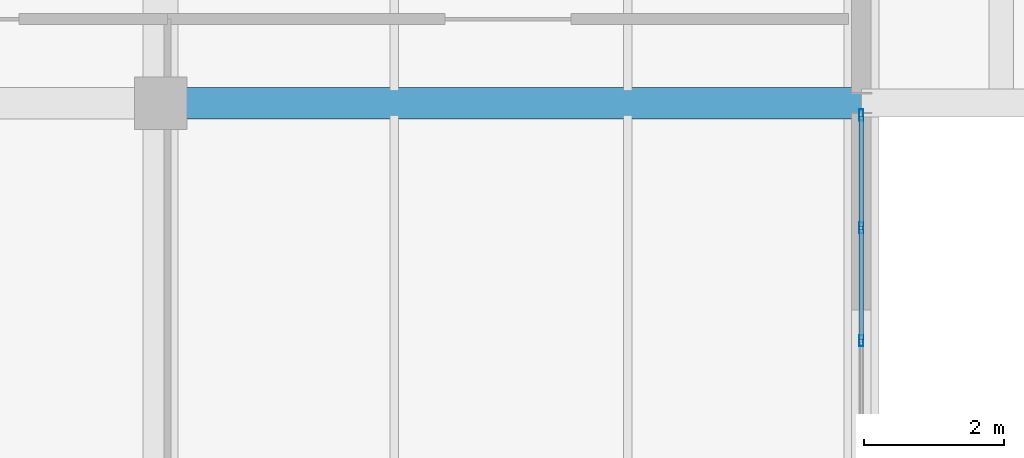
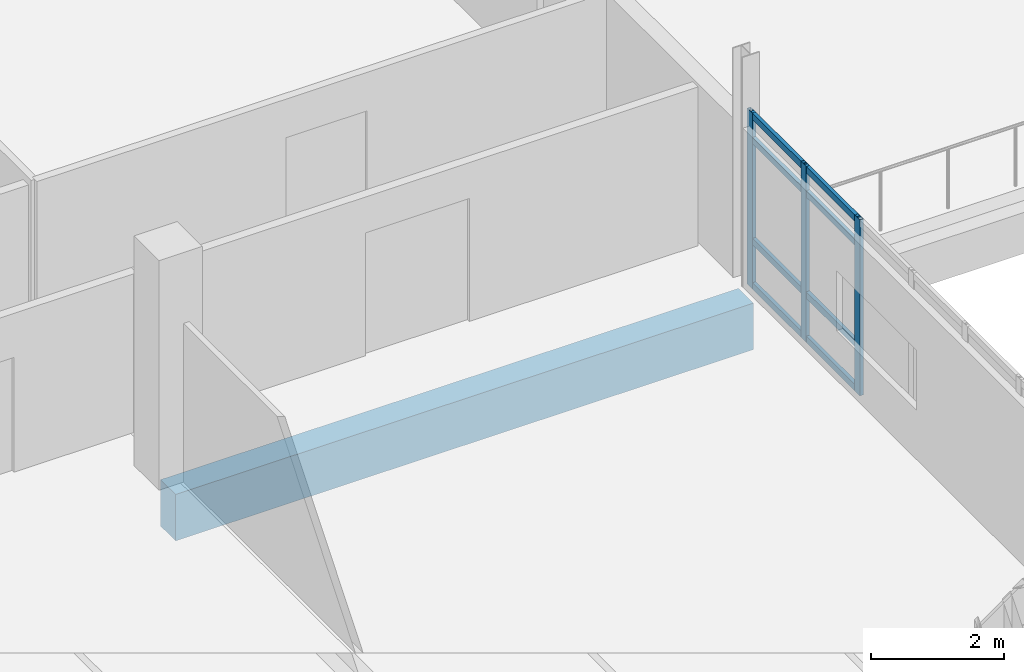
# One storey, part 49 of 111: 11 members, 1 beam, 1 element without a shape of its own.
"""IFC4 building model written with IfcOpenShell, lengths in metres."""

from ifc_helpers import new_model, si_unit, direction, frame, origin, origin_2d, place, context, subcontext, project, spatial, rectangle, hollow_rectangle, extrude, material, layer, layer_set, material_profile, profile_set, type_object, element, aggregate, save


model = new_model("IFC4")

# Units and contexts
model_context = context("Model", 3, precision=1e-05, world=origin(), true_north=direction((0.0, 1.0)))
body_context = subcontext(model_context, "Body", "Model", "MODEL_VIEW")
ifc_project = project(units=[si_unit("LENGTHUNIT", "METRE"), si_unit("AREAUNIT", "SQUARE_METRE"), si_unit("VOLUMEUNIT", "CUBIC_METRE"), si_unit("PLANEANGLEUNIT", "RADIAN"), si_unit("MASSUNIT", "GRAM", prefix="KILO")], contexts=[model_context])

# Site, building, storey
site_placement = place(None, origin())
site = spatial("IfcSite", under=ifc_project, at=site_placement, CompositionType="ELEMENT")
building_placement = place(site_placement, origin())
building = spatial("IfcBuilding", under=site, at=building_placement, Name="Mersad Railyard Sports Hall", CompositionType="ELEMENT")
storey_placement = place(building_placement, frame((0.0, 0.0, 9.0)))
storey = spatial("IfcBuildingStorey", under=building, at=storey_placement, Name="L02", CompositionType="ELEMENT", Elevation=9.0)

# Curtain wall, members
ifc_material_1 = material(Name="Aluminium 6063-T6", Category="aluminium")
ifc_layer = layer(ifc_material_1, 0.159912109375)
ifc_layer_set = layer_set([ifc_layer], Name="Aluminium 6063-T6")
curtain_wall_type = type_object("IfcCurtainWallType", Name="ARC-CW-CW23", PredefinedType="USERDEFINED", material=ifc_layer_set)
curtain_wall_placement = place(storey_placement, origin())
curtain_wall = element("IfcCurtainWall", 1, at=curtain_wall_placement, inside=storey, type_object=curtain_wall_type, Name="Curtain wall CW23-0081", ObjectType="CURTAIN WALL", PredefinedType="USERDEFINED")
ifc_material_profile_1 = material_profile(ifc_material_1, hollow_rectangle(XDim=0.06005859375, YDim=0.159912109375, WallThickness=0.00390625, at=origin_2d()), Name="AL MULLION 60x160x4")
ifc_profile_set_1 = profile_set([ifc_material_profile_1], Name="Aluminium 6063-T6")
member_type_1 = type_object("IfcMemberType", Name="ARC-CW-MUL01", PredefinedType="MULLION", material=ifc_profile_set_1)
member_1_placement = place(storey_placement, frame((131.0, 91.610107421875, -0.02001953125), z_axis=(0.0, 0.0, 1.0), x_axis=(1.0, 0.0, 0.0)))
member_1 = element("IfcMember", 2, at=member_1_placement, type_object=member_type_1, Name="CW23 Mullion 5", PredefinedType="MULLION", context=body_context, shape_type="SweptSolid", body=[
    extrude(hollow_rectangle(XDim=0.06005859375, YDim=0.159912109375, WallThickness=0.00390625, at=origin_2d()), origin(), (0.0, 0.0, 1.0), 3.219970703125),
])
member_2_placement = place(storey_placement, frame((131.0, 93.219970703125, -0.02001953125), z_axis=(0.0, 0.0, 1.0), x_axis=(1.0, 0.0, 0.0)))
member_2 = element("IfcMember", 3, at=member_2_placement, type_object=member_type_1, Name="CW23 Mullion 6", PredefinedType="MULLION", context=body_context, shape_type="SweptSolid", body=[
    extrude(hollow_rectangle(XDim=0.06005859375, YDim=0.159912109375, WallThickness=0.00390625, at=origin_2d()), origin(), (0.0, 0.0, 1.0), 3.219970703125),
])
member_3_placement = place(storey_placement, frame((131.0, 94.830078125, -0.02001953125), z_axis=(0.0, 0.0, 1.0), x_axis=(1.0, 0.0, 0.0)))
member_3 = element("IfcMember", 4, at=member_3_placement, type_object=member_type_1, Name="CW23 Mullion 7", PredefinedType="MULLION", context=body_context, shape_type="SweptSolid", body=[
    extrude(hollow_rectangle(XDim=0.06005859375, YDim=0.159912109375, WallThickness=0.00390625, at=origin_2d()), origin(), (0.0, 0.0, 1.0), 3.219970703125),
])
ifc_material_profile_2 = material_profile(ifc_material_1, hollow_rectangle(XDim=0.06005859375, YDim=0.1201171875, WallThickness=0.00390625, at=origin_2d()), Name="AL TRANSOM 60x120x4")
ifc_profile_set_2 = profile_set([ifc_material_profile_2], Name="Aluminium 6063-T6")
member_type_2 = type_object("IfcMemberType", Name="ARC-CW-TRN01", PredefinedType="USERDEFINED", material=ifc_profile_set_2)
member_4_placement = place(storey_placement, frame((131.0, 91.6298828125, 0.0400390625), z_axis=(0.0, 1.0, 0.0), x_axis=(-1.0, 0.0, 0.0)))
member_4 = element("IfcMember", 5, at=member_4_placement, type_object=member_type_2, Name="CW23 Transom 1-5", ObjectType="TRANSOM", PredefinedType="USERDEFINED", context=body_context, shape_type="SweptSolid", body=[
    extrude(hollow_rectangle(XDim=0.06005859375, YDim=0.1201171875, WallThickness=0.00390625, at=origin_2d()), origin(), (0.0, 0.0, 1.0), 1.570068359375),
])
member_5_placement = place(storey_placement, frame((131.0, 93.239990234375, 0.0400390625), z_axis=(0.0, 1.0, 0.0), x_axis=(-1.0, 0.0, 0.0)))
member_5 = element("IfcMember", 6, at=member_5_placement, type_object=member_type_2, Name="CW23 Transom 1-6", ObjectType="TRANSOM", PredefinedType="USERDEFINED", context=body_context, shape_type="SweptSolid", body=[
    extrude(hollow_rectangle(XDim=0.06005859375, YDim=0.1201171875, WallThickness=0.00390625, at=origin_2d()), origin(), (0.0, 0.0, 1.0), 1.570068359375),
])
member_6_placement = place(storey_placement, frame((131.0, 91.6298828125, 0.85009765625), z_axis=(0.0, 1.0, 0.0), x_axis=(-1.0, 0.0, 0.0)))
member_6 = element("IfcMember", 7, at=member_6_placement, type_object=member_type_2, Name="CW23 Transom 2-5", ObjectType="TRANSOM", PredefinedType="USERDEFINED", context=body_context, shape_type="SweptSolid", body=[
    extrude(hollow_rectangle(XDim=0.06005859375, YDim=0.1201171875, WallThickness=0.00390625, at=origin_2d()), origin(), (0.0, 0.0, 1.0), 1.570068359375),
])
member_7_placement = place(storey_placement, frame((131.0, 93.239990234375, 0.85009765625), z_axis=(0.0, 1.0, 0.0), x_axis=(-1.0, 0.0, 0.0)))
member_7 = element("IfcMember", 8, at=member_7_placement, type_object=member_type_2, Name="CW23 Transom 2-6", ObjectType="TRANSOM", PredefinedType="USERDEFINED", context=body_context, shape_type="SweptSolid", body=[
    extrude(hollow_rectangle(XDim=0.06005859375, YDim=0.1201171875, WallThickness=0.00390625, at=origin_2d()), origin(), (0.0, 0.0, 1.0), 1.570068359375),
])
member_8_placement = place(storey_placement, frame((131.0, 91.6298828125, 2.699951171875), z_axis=(0.0, 1.0, 0.0), x_axis=(-1.0, 0.0, 0.0)))
member_8 = element("IfcMember", 9, at=member_8_placement, type_object=member_type_2, Name="CW23 Transom 3-5", ObjectType="TRANSOM", PredefinedType="USERDEFINED", context=body_context, shape_type="SweptSolid", body=[
    extrude(hollow_rectangle(XDim=0.06005859375, YDim=0.1201171875, WallThickness=0.00390625, at=origin_2d()), origin(), (0.0, 0.0, 1.0), 1.570068359375),
])
member_9_placement = place(storey_placement, frame((131.0, 93.239990234375, 2.699951171875), z_axis=(0.0, 1.0, 0.0), x_axis=(-1.0, 0.0, 0.0)))
member_9 = element("IfcMember", 10, at=member_9_placement, type_object=member_type_2, Name="CW23 Transom 3-6", ObjectType="TRANSOM", PredefinedType="USERDEFINED", context=body_context, shape_type="SweptSolid", body=[
    extrude(hollow_rectangle(XDim=0.06005859375, YDim=0.1201171875, WallThickness=0.00390625, at=origin_2d()), origin(), (0.0, 0.0, 1.0), 1.570068359375),
])
member_10_placement = place(storey_placement, frame((131.0, 91.6298828125, 3.139892578125), z_axis=(0.0, 1.0, 0.0), x_axis=(-1.0, 0.0, 0.0)))
member_10 = element("IfcMember", 11, at=member_10_placement, type_object=member_type_2, Name="CW23 Transom 4-5", ObjectType="TRANSOM", PredefinedType="USERDEFINED", context=body_context, shape_type="SweptSolid", body=[
    extrude(hollow_rectangle(XDim=0.06005859375, YDim=0.1201171875, WallThickness=0.00390625, at=origin_2d()), origin(), (0.0, 0.0, 1.0), 1.570068359375),
])
member_11_placement = place(storey_placement, frame((131.0, 93.239990234375, 3.139892578125), z_axis=(0.0, 1.0, 0.0), x_axis=(-1.0, 0.0, 0.0)))
member_11 = element("IfcMember", 12, at=member_11_placement, type_object=member_type_2, Name="CW23 Transom 4-6", ObjectType="TRANSOM", PredefinedType="USERDEFINED", context=body_context, shape_type="SweptSolid", body=[
    extrude(hollow_rectangle(XDim=0.06005859375, YDim=0.1201171875, WallThickness=0.00390625, at=origin_2d()), origin(), (0.0, 0.0, 1.0), 1.570068359375),
])
aggregate(curtain_wall, [member_1, member_2, member_3, member_4, member_5, member_6, member_7, member_8, member_9, member_10, member_11])

# Beam
ifc_material_2 = material(Name="Concrete C40/50", Category="concrete")
ifc_material_profile_3 = material_profile(ifc_material_2, rectangle(XDim=0.449951171875, YDim=0.85009765625, at=origin_2d()), Name="RC 450x850")
ifc_profile_set_3 = profile_set([ifc_material_profile_3], Name="Concrete C40/50")
beam_type = type_object("IfcBeamType", Name="STR-BM-B02", PredefinedType="BEAM", material=ifc_profile_set_3)
beam_placement = place(storey_placement, frame((121.0, 95.0, -0.72509765625), z_axis=(1.0, 0.0, 0.0), x_axis=(0.0, 1.0, 0.0)))
element("IfcBeam", 13, at=beam_placement, inside=storey, type_object=beam_type, Name="Beam B02-1080", PredefinedType="BEAM", context=body_context, shape_type="SweptSolid", body=[
    extrude(rectangle(XDim=0.449951171875, YDim=0.85009765625, at=origin_2d()), origin(), (0.0, 0.0, 1.0), 10.0),
])

save(model, "model.ifc")
